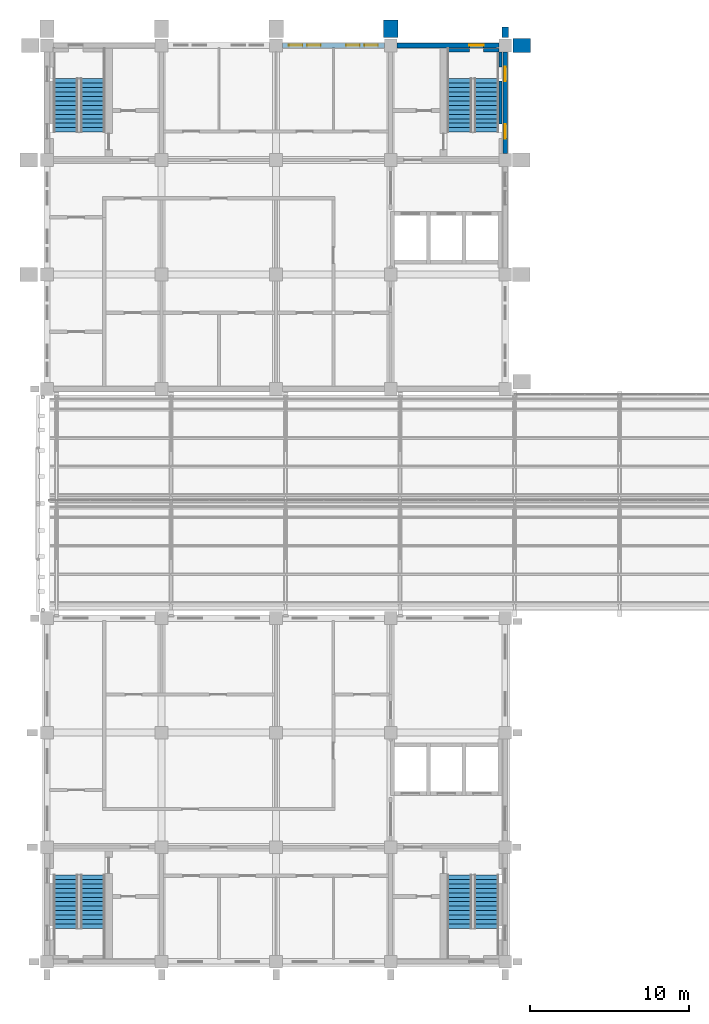
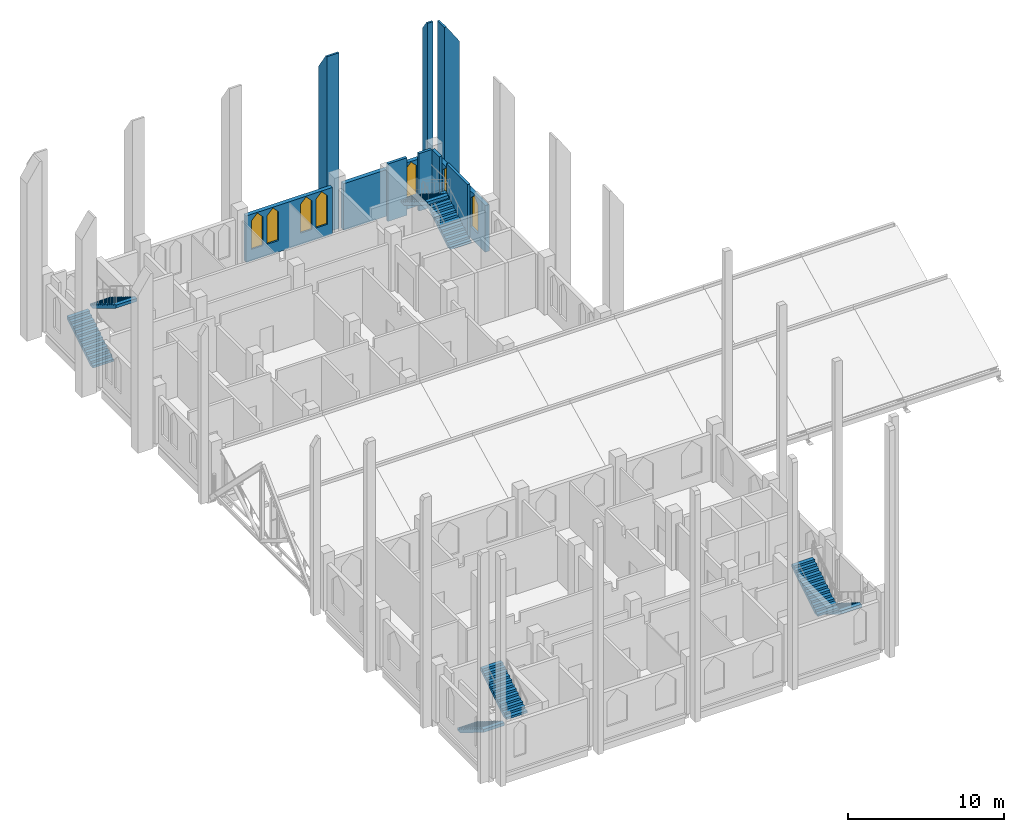
# One storey, part 24 of 29: 10 walls, 8 stair flights, 7 windows, 7 openings, 4 elements without a shape of their own.
"""IFC4 building model written with IfcOpenShell, lengths in metres."""

from ifc_helpers import new_model, si_unit, direction, frame, frame_2d, origin, place, context, subcontext, project, spatial, polyline, rectangle, outline, extrude, material, layer, layer_set, type_object, element, fill, aggregate, save


model = new_model("IFC4")

# Units and contexts
model_context = context("Model", 3, precision=1e-05, world=origin(), true_north=direction((0.0, 1.0)))
body_context = subcontext(model_context, "Body", "Model", "MODEL_VIEW")
ifc_project = project(units=[si_unit("LENGTHUNIT", "METRE"), si_unit("AREAUNIT", "SQUARE_METRE"), si_unit("VOLUMEUNIT", "CUBIC_METRE"), si_unit("PLANEANGLEUNIT", "RADIAN"), si_unit("MASSUNIT", "GRAM", prefix="KILO")], contexts=[model_context])

# Site, building, storey
site_placement = place(None, origin())
site = spatial("IfcSite", under=ifc_project, at=site_placement, CompositionType="ELEMENT")
building_placement = place(site_placement, origin())
building = spatial("IfcBuilding", under=site, at=building_placement, Name="Silangan Lancet Faculty of Sciences", CompositionType="ELEMENT")
storey_placement = place(building_placement, frame((0.0, 0.0, 40.800048828125)))
storey = spatial("IfcBuildingStorey", under=building, at=storey_placement, Name="L08", CompositionType="ELEMENT", Elevation=40.800048828125)

# Wall, openings, windows
ifc_material_1 = material(Name="Concrete C40/50 precast", Category="concrete")
ifc_layer_1 = layer(ifc_material_1, 0.300048828125)
ifc_layer_set_1 = layer_set([ifc_layer_1], Name="Concrete C40/50 precast")
wall_type_1 = type_object("IfcWallType", Name="EW1 Precast cladding wall", PredefinedType="STANDARD", material=ifc_layer_set_1)
wall_1_placement = place(storey_placement, frame((21.199951171875, 57.60009765625, 0.0), z_axis=(0.0, 0.0, 1.0), x_axis=(-1.0, 0.0, 0.0)))
wall_1 = element("IfcWall", 1, at=wall_1_placement, inside=storey, type_object=wall_type_1, Name="EW-L08-N-NT-01", PredefinedType="STANDARD", context=body_context, shape_type="SweptSolid", body=[
    extrude(rectangle(XDim=6.39990234375, YDim=0.300048828125, at=frame_2d((3.199951171875, 0.0))), origin(), (0.0, 0.0, 1.0), 3.64990234375),
])
opening_1_placement = place(wall_1_placement, frame((0.39990234375, 0.0, 0.89990234375)))
opening_1 = element("IfcOpeningElement", 2, at=opening_1_placement, cuts=wall_1, Name="Opening W21", PredefinedType="OPENING", context=body_context, shape_type="SweptSolid", body=[
    extrude(outline(polyline([(0.0, 0.0), (0.85009765625, 0.0), (0.85009765625, 2.25), (0.425048828125, 2.699951171875), (0.0, 2.25), (0.0, 0.0)])), frame((0.0, 0.159912109375, 0.0), z_axis=(0.0, -1.0, 0.0), x_axis=(1.0, 0.0, 0.0)), (0.0, 0.0, 1.0), 0.320068359375),
])
opening_2_placement = place(wall_1_placement, frame((1.550048828125, 0.0, 0.89990234375)))
opening_2 = element("IfcOpeningElement", 3, at=opening_2_placement, cuts=wall_1, Name="Opening W21", PredefinedType="OPENING", context=body_context, shape_type="SweptSolid", body=[
    extrude(outline(polyline([(0.0, 0.0), (0.85009765625, 0.0), (0.85009765625, 2.25), (0.425048828125, 2.699951171875), (0.0, 2.25), (0.0, 0.0)])), frame((0.0, 0.159912109375, 0.0), z_axis=(0.0, -1.0, 0.0), x_axis=(1.0, 0.0, 0.0)), (0.0, 0.0, 1.0), 0.320068359375),
])
opening_3_placement = place(wall_1_placement, frame((4.0, 0.0, 0.89990234375)))
opening_3 = element("IfcOpeningElement", 4, at=opening_3_placement, cuts=wall_1, Name="Opening W21", PredefinedType="OPENING", context=body_context, shape_type="SweptSolid", body=[
    extrude(outline(polyline([(0.0, 0.0), (0.85009765625, 0.0), (0.85009765625, 2.25), (0.425048828125, 2.699951171875), (0.0, 2.25), (0.0, 0.0)])), frame((0.0, 0.159912109375, 0.0), z_axis=(0.0, -1.0, 0.0), x_axis=(1.0, 0.0, 0.0)), (0.0, 0.0, 1.0), 0.320068359375),
])
opening_4_placement = place(wall_1_placement, frame((5.14990234375, 0.0, 0.89990234375)))
opening_4 = element("IfcOpeningElement", 5, at=opening_4_placement, cuts=wall_1, Name="Opening W21", PredefinedType="OPENING", context=body_context, shape_type="SweptSolid", body=[
    extrude(outline(polyline([(0.0, 0.0), (0.85009765625, 0.0), (0.85009765625, 2.25), (0.425048828125, 2.699951171875), (0.0, 2.25), (0.0, 0.0)])), frame((0.0, 0.159912109375, 0.0), z_axis=(0.0, -1.0, 0.0), x_axis=(1.0, 0.0, 0.0)), (0.0, 0.0, 1.0), 0.320068359375),
])
ifc_material_2 = material(Name="Aluminium frame, laminated double glazing", Category="aluminium")
window_type_1 = type_object("IfcWindowType", Name="W21 Lancet window 850 x 2700", PartitioningType="SINGLE_PANEL", PredefinedType="WINDOW", material=ifc_material_2)
window_1_placement = place(opening_1_placement, origin())
window_1 = element("IfcWindow", 6, at=window_1_placement, inside=storey, type_object=window_type_1, Name="WIN-L08-N-NT-01a1", OverallHeight=2.699951171875, OverallWidth=0.85009765625, PartitioningType="SINGLE_PANEL", PredefinedType="WINDOW", context=body_context, shape_type="SweptSolid", body=[
    extrude(outline(polyline([(0.0, 0.0), (0.85009765625, 0.0), (0.85009765625, 2.25), (0.425048828125, 2.699951171875), (0.0, 2.25), (0.0, 0.0)])), frame((0.0, 0.030029296875, 0.0), z_axis=(0.0, -1.0, 0.0), x_axis=(1.0, 0.0, 0.0)), (0.0, 0.0, 1.0), 0.06005859375),
])
fill(opening_1, window_1)
window_2_placement = place(opening_2_placement, origin())
window_2 = element("IfcWindow", 7, at=window_2_placement, inside=storey, type_object=window_type_1, Name="WIN-L08-N-NT-01a2", OverallHeight=2.699951171875, OverallWidth=0.85009765625, PartitioningType="SINGLE_PANEL", PredefinedType="WINDOW", context=body_context, shape_type="SweptSolid", body=[
    extrude(outline(polyline([(0.0, 0.0), (0.85009765625, 0.0), (0.85009765625, 2.25), (0.425048828125, 2.699951171875), (0.0, 2.25), (0.0, 0.0)])), frame((0.0, 0.030029296875, 0.0), z_axis=(0.0, -1.0, 0.0), x_axis=(1.0, 0.0, 0.0)), (0.0, 0.0, 1.0), 0.06005859375),
])
fill(opening_2, window_2)
window_3_placement = place(opening_3_placement, origin())
window_3 = element("IfcWindow", 8, at=window_3_placement, inside=storey, type_object=window_type_1, Name="WIN-L08-N-NT-01b1", OverallHeight=2.699951171875, OverallWidth=0.85009765625, PartitioningType="SINGLE_PANEL", PredefinedType="WINDOW", context=body_context, shape_type="SweptSolid", body=[
    extrude(outline(polyline([(0.0, 0.0), (0.85009765625, 0.0), (0.85009765625, 2.25), (0.425048828125, 2.699951171875), (0.0, 2.25), (0.0, 0.0)])), frame((0.0, 0.030029296875, 0.0), z_axis=(0.0, -1.0, 0.0), x_axis=(1.0, 0.0, 0.0)), (0.0, 0.0, 1.0), 0.06005859375),
])
fill(opening_3, window_3)
window_4_placement = place(opening_4_placement, origin())
window_4 = element("IfcWindow", 9, at=window_4_placement, inside=storey, type_object=window_type_1, Name="WIN-L08-N-NT-01b2", OverallHeight=2.699951171875, OverallWidth=0.85009765625, PartitioningType="SINGLE_PANEL", PredefinedType="WINDOW", context=body_context, shape_type="SweptSolid", body=[
    extrude(outline(polyline([(0.0, 0.0), (0.85009765625, 0.0), (0.85009765625, 2.25), (0.425048828125, 2.699951171875), (0.0, 2.25), (0.0, 0.0)])), frame((0.0, 0.030029296875, 0.0), z_axis=(0.0, -1.0, 0.0), x_axis=(1.0, 0.0, 0.0)), (0.0, 0.0, 1.0), 0.06005859375),
])
fill(opening_4, window_4)

# Wall, opening, window
ifc_material_3 = material(Name="Concrete C40/50 precast", Category="concrete")
ifc_layer_2 = layer(ifc_material_3, 0.300048828125)
ifc_layer_set_2 = layer_set([ifc_layer_2], Name="Concrete C40/50 precast")
wall_type_2 = type_object("IfcWallType", Name="EW2 Turret enclosure wall", PredefinedType="STANDARD", material=ifc_layer_set_2)
wall_2_placement = place(storey_placement, frame((28.39990234375, 57.60009765625, 0.0), z_axis=(0.0, 0.0, 1.0), x_axis=(-1.0, 0.0, 0.0)))
wall_2 = element("IfcWall", 10, at=wall_2_placement, inside=storey, type_object=wall_type_2, Name="EW-L08-N-NT-00", PredefinedType="STANDARD", context=body_context, shape_type="SweptSolid", body=[
    extrude(rectangle(XDim=6.39990234375, YDim=0.300048828125, at=frame_2d((3.199951171875, 0.0))), origin(), (0.0, 0.0, 1.0), 3.64990234375),
])
opening_5_placement = place(wall_2_placement, frame((0.949951171875, 0.0, 0.89990234375)))
opening_5 = element("IfcOpeningElement", 11, at=opening_5_placement, cuts=wall_2, Name="Opening W22", PredefinedType="OPENING", context=body_context, shape_type="SweptSolid", body=[
    extrude(outline(polyline([(0.0, 0.0), (0.89990234375, 0.0), (0.89990234375, 2.25), (0.449951171875, 2.699951171875), (0.0, 2.25), (0.0, 0.0)])), frame((0.0, 0.159912109375, 0.0), z_axis=(0.0, -1.0, 0.0), x_axis=(1.0, 0.0, 0.0)), (0.0, 0.0, 1.0), 0.320068359375),
])
ifc_material_4 = material(Name="Aluminium frame, laminated double glazing", Category="aluminium")
window_type_2 = type_object("IfcWindowType", Name="W22 Lancet window 900 x 2700", PartitioningType="SINGLE_PANEL", PredefinedType="WINDOW", material=ifc_material_4)
window_5_placement = place(opening_5_placement, origin())
window_5 = element("IfcWindow", 12, at=window_5_placement, inside=storey, type_object=window_type_2, Name="WIN-L08-N-NT-00a", OverallHeight=2.699951171875, OverallWidth=0.89990234375, PartitioningType="SINGLE_PANEL", PredefinedType="WINDOW", context=body_context, shape_type="SweptSolid", body=[
    extrude(outline(polyline([(0.0, 0.0), (0.89990234375, 0.0), (0.89990234375, 2.25), (0.449951171875, 2.699951171875), (0.0, 2.25), (0.0, 0.0)])), frame((0.0, 0.030029296875, 0.0), z_axis=(0.0, -1.0, 0.0), x_axis=(1.0, 0.0, 0.0)), (0.0, 0.0, 1.0), 0.06005859375),
])
fill(opening_5, window_5)

# Wall, openings, windows
wall_3_placement = place(storey_placement, frame((28.800048828125, 50.800048828125, 0.0), z_axis=(0.0, 0.0, 1.0), x_axis=(0.0, 1.0, 0.0)))
wall_3 = element("IfcWall", 13, at=wall_3_placement, inside=storey, type_object=wall_type_2, Name="EW-L08-E-NT-02", PredefinedType="STANDARD", context=body_context, shape_type="SweptSolid", body=[
    extrude(rectangle(XDim=6.39990234375, YDim=0.300048828125, at=frame_2d((3.199951171875, 0.0))), origin(), (0.0, 0.0, 1.0), 3.64990234375),
])
opening_6_placement = place(wall_3_placement, frame((0.949951171875, 0.0, 0.89990234375)))
opening_6 = element("IfcOpeningElement", 14, at=opening_6_placement, cuts=wall_3, Name="Opening W22", PredefinedType="OPENING", context=body_context, shape_type="SweptSolid", body=[
    extrude(outline(polyline([(0.0, 0.0), (0.89990234375, 0.0), (0.89990234375, 2.25), (0.449951171875, 2.699951171875), (0.0, 2.25), (0.0, 0.0)])), frame((0.0, 0.159912109375, 0.0), z_axis=(0.0, -1.0, 0.0), x_axis=(1.0, 0.0, 0.0)), (0.0, 0.0, 1.0), 0.320068359375),
])
opening_7_placement = place(wall_3_placement, frame((4.550048828125, 0.0, 0.89990234375)))
opening_7 = element("IfcOpeningElement", 15, at=opening_7_placement, cuts=wall_3, Name="Opening W22", PredefinedType="OPENING", context=body_context, shape_type="SweptSolid", body=[
    extrude(outline(polyline([(0.0, 0.0), (0.89990234375, 0.0), (0.89990234375, 2.25), (0.449951171875, 2.699951171875), (0.0, 2.25), (0.0, 0.0)])), frame((0.0, 0.159912109375, 0.0), z_axis=(0.0, -1.0, 0.0), x_axis=(1.0, 0.0, 0.0)), (0.0, 0.0, 1.0), 0.320068359375),
])
window_6_placement = place(opening_6_placement, origin())
window_6 = element("IfcWindow", 16, at=window_6_placement, inside=storey, type_object=window_type_2, Name="WIN-L08-E-NT-02a", OverallHeight=2.699951171875, OverallWidth=0.89990234375, PartitioningType="SINGLE_PANEL", PredefinedType="WINDOW", context=body_context, shape_type="SweptSolid", body=[
    extrude(outline(polyline([(0.0, 0.0), (0.89990234375, 0.0), (0.89990234375, 2.25), (0.449951171875, 2.699951171875), (0.0, 2.25), (0.0, 0.0)])), frame((0.0, 0.030029296875, 0.0), z_axis=(0.0, -1.0, 0.0), x_axis=(1.0, 0.0, 0.0)), (0.0, 0.0, 1.0), 0.06005859375),
])
fill(opening_6, window_6)
window_7_placement = place(opening_7_placement, origin())
window_7 = element("IfcWindow", 17, at=window_7_placement, inside=storey, type_object=window_type_2, Name="WIN-L08-E-NT-02b", OverallHeight=2.699951171875, OverallWidth=0.89990234375, PartitioningType="SINGLE_PANEL", PredefinedType="WINDOW", context=body_context, shape_type="SweptSolid", body=[
    extrude(outline(polyline([(0.0, 0.0), (0.89990234375, 0.0), (0.89990234375, 2.25), (0.449951171875, 2.699951171875), (0.0, 2.25), (0.0, 0.0)])), frame((0.0, 0.030029296875, 0.0), z_axis=(0.0, -1.0, 0.0), x_axis=(1.0, 0.0, 0.0)), (0.0, 0.0, 1.0), 0.06005859375),
])
fill(opening_7, window_7)

# Walls
ifc_material_5 = material(Name="Concrete C40/50 precast", Category="concrete")
ifc_layer_3 = layer(ifc_material_5, 0.89990234375)
ifc_layer_set_3 = layer_set([ifc_layer_3], Name="Concrete C40/50 precast")
wall_type_3 = type_object("IfcWallType", Name="FN30 Buttress Fin column line stage 3 13750", PredefinedType="POLYGONAL", material=ifc_layer_set_3)
for number, where, z_axis, x_axis, name in (
    (18, (21.60009765625, 58.10009765625, -0.25), (0.0, 0.0, 1.0), (0.0, 1.0, 0.0), "FINC-N-NT-04-S3"),
    (19, (29.300048828125, 57.60009765625, -0.25), (0.0, 0.0, 1.0), (1.0, 0.0, 0.0), "FINC-E-NT-04-S3"),
):
    element("IfcWall", number, at=place(storey_placement, frame(where, z_axis=z_axis, x_axis=x_axis)), inside=storey, type_object=wall_type_3, Name=name, PredefinedType="POLYGONAL", context=body_context, shape_type="SweptSolid", body=[
        extrude(outline(polyline([(1.10009765625, 0.0), (1.10009765625, 12.324951171875), (0.14990234375, 13.75), (0.0, 13.75), (0.0, 0.0), (1.10009765625, 0.0)])), frame((0.0, 0.449951171875, 0.0), z_axis=(0.0, -1.0, 0.0), x_axis=(1.0, 0.0, 0.0)), (0.0, 0.0, 1.0), 0.89990234375),
    ])
ifc_material_6 = material(Name="Concrete C40/50 precast", Category="concrete")
ifc_layer_4 = layer(ifc_material_6, 0.39990234375)
ifc_layer_set_4 = layer_set([ifc_layer_4], Name="Concrete C40/50 precast")
wall_type_4 = type_object("IfcWallType", Name="FN49 Buttress Fin column line stage 3 13750", PredefinedType="POLYGONAL", material=ifc_layer_set_4)
wall_4_placement = place(storey_placement, frame((28.800048828125, 58.10009765625, -0.25), z_axis=(0.0, 0.0, 1.0), x_axis=(0.0, 1.0, 0.0)))
element("IfcWall", 20, at=wall_4_placement, inside=storey, type_object=wall_type_4, Name="FINC-N-NAB-01-S3", PredefinedType="POLYGONAL", context=body_context, shape_type="SweptSolid", body=[
    extrude(outline(polyline([(0.64990234375, 0.0), (0.64990234375, 13.0), (0.14990234375, 13.75), (0.0, 13.75), (0.0, 0.0), (0.64990234375, 0.0)])), frame((0.0, 0.199951171875, 0.0), z_axis=(0.0, -1.0, 0.0), x_axis=(1.0, 0.0, 0.0)), (0.0, 0.0, 1.0), 0.39990234375),
])
ifc_material_7 = material(Name="Concrete C40/50", Category="concrete")
ifc_layer_5 = layer(ifc_material_7, 0.199951171875)
ifc_layer_set_5 = layer_set([ifc_layer_5], Name="Concrete C40/50")
wall_type_5 = type_object("IfcWallType", Name="TURRET LINING WALL RC 200", PredefinedType="SHEAR", material=ifc_layer_set_5)
wall_5_placement = place(storey_placement, frame((28.5, 52.64990234375, -0.25), z_axis=(0.0, 0.0, 1.0), x_axis=(0.0, 1.0, 0.0)))
element("IfcWall", 21, at=wall_5_placement, inside=storey, type_object=wall_type_5, Name="WALL-L08-NT-B-WL-2", PredefinedType="SHEAR", context=body_context, shape_type="SweptSolid", body=[
    extrude(rectangle(XDim=2.7001953125, YDim=0.199951171875, at=frame_2d((1.35009765625, 0.0))), origin(), (0.0, 0.0, 1.0), 4.5),
])
wall_6_placement = place(storey_placement, frame((28.5, 56.25, -0.25), z_axis=(0.0, 0.0, 1.0), x_axis=(0.0, 1.0, 0.0)))
element("IfcWall", 22, at=wall_6_placement, inside=storey, type_object=wall_type_5, Name="WALL-L08-NT-B-WL-3", PredefinedType="SHEAR", context=body_context, shape_type="SweptSolid", body=[
    extrude(rectangle(XDim=0.949951171875, YDim=0.199951171875, at=frame_2d((0.47509765625, 0.0))), origin(), (0.0, 0.0, 1.0), 4.5),
])
wall_7_placement = place(storey_placement, frame((25.14990234375, 57.300048828125, -0.25), z_axis=(0.0, 0.0, 1.0), x_axis=(1.0, 0.0, 0.0)))
element("IfcWall", 23, at=wall_7_placement, inside=storey, type_object=wall_type_5, Name="WALL-L08-NT-B-WLD", PredefinedType="SHEAR", context=body_context, shape_type="SweptSolid", body=[
    extrude(rectangle(XDim=1.400146484375, YDim=0.199951171875, at=frame_2d((0.7001953125, 0.0))), origin(), (0.0, 0.0, 1.0), 4.5),
])
wall_8_placement = place(storey_placement, frame((27.449951171875, 57.300048828125, -0.25), z_axis=(0.0, 0.0, 1.0), x_axis=(1.0, 0.0, 0.0)))
element("IfcWall", 24, at=wall_8_placement, inside=storey, type_object=wall_type_5, Name="WALL-L08-NT-B-WLD-2", PredefinedType="SHEAR", context=body_context, shape_type="SweptSolid", body=[
    extrude(rectangle(XDim=0.949951171875, YDim=0.199951171875, at=frame_2d((0.47509765625, 0.0))), origin(), (0.0, 0.0, 1.0), 4.5),
])

# Stair, stair flights
ifc_material_8 = material(Name="Concrete C40/50", Category="concrete")
stair_type = type_object("IfcStairType", Name="TURRET STAIR 1550 TWO-FLIGHT", PredefinedType="HALF_TURN_STAIR", material=ifc_material_8)
stair_1_placement = place(storey_placement, origin())
stair_1 = element("IfcStair", 25, at=stair_1_placement, inside=storey, type_object=stair_type, Name="NT-A stair L08", PredefinedType="HALF_TURN_STAIR")
ifc_material_9 = material(Name="Concrete C40/50", Category="concrete")
stair_flight_type = type_object("IfcStairFlightType", Name="TURRET STAIR FLIGHT 1550", PredefinedType="STRAIGHT", material=ifc_material_9)
stair_flight_1_placement = place(storey_placement, frame((1.175048828125, 52.14990234375, 0.0), z_axis=(0.0, 0.0, 1.0), x_axis=(0.0, 1.0, 0.0)))
stair_flight_1 = element("IfcStairFlight", 26, at=stair_flight_1_placement, type_object=stair_flight_type, Name="STR3 flight 1", NumberOfRisers=13, NumberOfTreads=12, PredefinedType="STRAIGHT", RiserHeight=0.173076923, TreadLength=0.28, context=body_context, shape_type="SweptSolid", body=[
    extrude(outline(polyline([(0.0, 0.0), (0.0, 0.173095703125), (0.280029296875, 0.173095703125), (0.280029296875, 0.34619140625), (0.56005859375, 0.34619140625), (0.56005859375, 0.519287109375), (0.840087890625, 0.519287109375), (0.840087890625, 0.6923828125), (1.1201171875, 0.6923828125), (1.1201171875, 0.865478515625), (1.39990234375, 0.865478515625), (1.39990234375, 1.03857421875), (1.679931640625, 1.03857421875), (1.679931640625, 1.21142578125), (1.9599609375, 1.21142578125), (1.9599609375, 1.384521484375), (2.239990234375, 1.384521484375), (2.239990234375, 1.5576171875), (2.52001953125, 1.5576171875), (2.52001953125, 1.730712890625), (2.800048828125, 1.730712890625), (2.800048828125, 1.90380859375), (3.080078125, 1.90380859375), (3.080078125, 2.076904296875), (3.360107421875, 2.076904296875), (3.360107421875, 2.25), (3.360107421875, 1.841796875), (0.38037109375, 0.0), (0.0, 0.0)])), frame((0.0, 0.77490234375, 0.0), z_axis=(0.0, -1.0, 0.0), x_axis=(1.0, 0.0, 0.0)), (0.0, 0.0, 1.0), 1.550048828125),
])
stair_flight_2_placement = place(storey_placement, frame((2.875, 55.510009765625, 2.25), z_axis=(0.0, 0.0, 1.0), x_axis=(0.0, -1.0, 0.0)))
stair_flight_2 = element("IfcStairFlight", 27, at=stair_flight_2_placement, type_object=stair_flight_type, Name="STR3 flight 2", NumberOfRisers=13, NumberOfTreads=12, PredefinedType="STRAIGHT", RiserHeight=0.173076923, TreadLength=0.28, context=body_context, shape_type="SweptSolid", body=[
    extrude(outline(polyline([(0.0, 0.0), (0.0, 0.173095703125), (0.280029296875, 0.173095703125), (0.280029296875, 0.34619140625), (0.56005859375, 0.34619140625), (0.56005859375, 0.519287109375), (0.840087890625, 0.519287109375), (0.840087890625, 0.6923828125), (1.1201171875, 0.6923828125), (1.1201171875, 0.865478515625), (1.39990234375, 0.865478515625), (1.39990234375, 1.03857421875), (1.679931640625, 1.03857421875), (1.679931640625, 1.21142578125), (1.9599609375, 1.21142578125), (1.9599609375, 1.384521484375), (2.239990234375, 1.384521484375), (2.239990234375, 1.5576171875), (2.52001953125, 1.5576171875), (2.52001953125, 1.730712890625), (2.800048828125, 1.730712890625), (2.800048828125, 1.90380859375), (3.080078125, 1.90380859375), (3.080078125, 2.076904296875), (3.360107421875, 2.076904296875), (3.360107421875, 2.25), (3.360107421875, 1.841796875), (0.38037109375, 0.0), (0.0, 0.0)])), frame((0.0, 0.77490234375, 0.0), z_axis=(0.0, -1.0, 0.0), x_axis=(1.0, 0.0, 0.0)), (0.0, 0.0, 1.0), 1.550048828125),
])
aggregate(stair_1, [stair_flight_1, stair_flight_2])

stair_2_placement = place(storey_placement, origin())
stair_2 = element("IfcStair", 28, at=stair_2_placement, inside=storey, type_object=stair_type, Name="NT-B stair L08", PredefinedType="HALF_TURN_STAIR")
stair_flight_3_placement = place(storey_placement, frame((27.625, 52.14990234375, 0.0), z_axis=(0.0, 0.0, 1.0), x_axis=(0.0, 1.0, 0.0)))
stair_flight_3 = element("IfcStairFlight", 29, at=stair_flight_3_placement, type_object=stair_flight_type, Name="STR4 flight 1", NumberOfRisers=13, NumberOfTreads=12, PredefinedType="STRAIGHT", RiserHeight=0.173076923, TreadLength=0.28, context=body_context, shape_type="SweptSolid", body=[
    extrude(outline(polyline([(0.0, 0.0), (0.0, 0.173095703125), (0.280029296875, 0.173095703125), (0.280029296875, 0.34619140625), (0.56005859375, 0.34619140625), (0.56005859375, 0.519287109375), (0.840087890625, 0.519287109375), (0.840087890625, 0.6923828125), (1.1201171875, 0.6923828125), (1.1201171875, 0.865478515625), (1.39990234375, 0.865478515625), (1.39990234375, 1.03857421875), (1.679931640625, 1.03857421875), (1.679931640625, 1.21142578125), (1.9599609375, 1.21142578125), (1.9599609375, 1.384521484375), (2.239990234375, 1.384521484375), (2.239990234375, 1.5576171875), (2.52001953125, 1.5576171875), (2.52001953125, 1.730712890625), (2.800048828125, 1.730712890625), (2.800048828125, 1.90380859375), (3.080078125, 1.90380859375), (3.080078125, 2.076904296875), (3.360107421875, 2.076904296875), (3.360107421875, 2.25), (3.360107421875, 1.841796875), (0.38037109375, 0.0), (0.0, 0.0)])), frame((0.0, 0.77490234375, 0.0), z_axis=(0.0, -1.0, 0.0), x_axis=(1.0, 0.0, 0.0)), (0.0, 0.0, 1.0), 1.550048828125),
])
stair_flight_4_placement = place(storey_placement, frame((25.925048828125, 55.510009765625, 2.25), z_axis=(0.0, 0.0, 1.0), x_axis=(0.0, -1.0, 0.0)))
stair_flight_4 = element("IfcStairFlight", 30, at=stair_flight_4_placement, type_object=stair_flight_type, Name="STR4 flight 2", NumberOfRisers=13, NumberOfTreads=12, PredefinedType="STRAIGHT", RiserHeight=0.173076923, TreadLength=0.28, context=body_context, shape_type="SweptSolid", body=[
    extrude(outline(polyline([(0.0, 0.0), (0.0, 0.173095703125), (0.280029296875, 0.173095703125), (0.280029296875, 0.34619140625), (0.56005859375, 0.34619140625), (0.56005859375, 0.519287109375), (0.840087890625, 0.519287109375), (0.840087890625, 0.6923828125), (1.1201171875, 0.6923828125), (1.1201171875, 0.865478515625), (1.39990234375, 0.865478515625), (1.39990234375, 1.03857421875), (1.679931640625, 1.03857421875), (1.679931640625, 1.21142578125), (1.9599609375, 1.21142578125), (1.9599609375, 1.384521484375), (2.239990234375, 1.384521484375), (2.239990234375, 1.5576171875), (2.52001953125, 1.5576171875), (2.52001953125, 1.730712890625), (2.800048828125, 1.730712890625), (2.800048828125, 1.90380859375), (3.080078125, 1.90380859375), (3.080078125, 2.076904296875), (3.360107421875, 2.076904296875), (3.360107421875, 2.25), (3.360107421875, 1.841796875), (0.38037109375, 0.0), (0.0, 0.0)])), frame((0.0, 0.77490234375, 0.0), z_axis=(0.0, -1.0, 0.0), x_axis=(1.0, 0.0, 0.0)), (0.0, 0.0, 1.0), 1.550048828125),
])
aggregate(stair_2, [stair_flight_3, stair_flight_4])

stair_3_placement = place(storey_placement, origin())
stair_3 = element("IfcStair", 31, at=stair_3_placement, inside=storey, type_object=stair_type, Name="ST-A stair L08", PredefinedType="HALF_TURN_STAIR")
stair_flight_5_placement = place(storey_placement, frame((1.175048828125, 5.449951171875, 0.0), z_axis=(0.0, 0.0, 1.0), x_axis=(0.0, -1.0, 0.0)))
stair_flight_5 = element("IfcStairFlight", 32, at=stair_flight_5_placement, type_object=stair_flight_type, Name="STR1 flight 1", NumberOfRisers=13, NumberOfTreads=12, PredefinedType="STRAIGHT", RiserHeight=0.173076923, TreadLength=0.28, context=body_context, shape_type="SweptSolid", body=[
    extrude(outline(polyline([(0.0, 0.0), (0.0, 0.173095703125), (0.280029296875, 0.173095703125), (0.280029296875, 0.34619140625), (0.56005859375, 0.34619140625), (0.56005859375, 0.519287109375), (0.840087890625, 0.519287109375), (0.840087890625, 0.6923828125), (1.1201171875, 0.6923828125), (1.1201171875, 0.865478515625), (1.39990234375, 0.865478515625), (1.39990234375, 1.03857421875), (1.679931640625, 1.03857421875), (1.679931640625, 1.21142578125), (1.9599609375, 1.21142578125), (1.9599609375, 1.384521484375), (2.239990234375, 1.384521484375), (2.239990234375, 1.5576171875), (2.52001953125, 1.5576171875), (2.52001953125, 1.730712890625), (2.800048828125, 1.730712890625), (2.800048828125, 1.90380859375), (3.080078125, 1.90380859375), (3.080078125, 2.076904296875), (3.360107421875, 2.076904296875), (3.360107421875, 2.25), (3.360107421875, 1.841796875), (0.38037109375, 0.0), (0.0, 0.0)])), frame((0.0, 0.77490234375, 0.0), z_axis=(0.0, -1.0, 0.0), x_axis=(1.0, 0.0, 0.0)), (0.0, 0.0, 1.0), 1.550048828125),
])
stair_flight_6_placement = place(storey_placement, frame((2.875, 2.090087890625, 2.25), z_axis=(0.0, 0.0, 1.0), x_axis=(0.0, 1.0, 0.0)))
stair_flight_6 = element("IfcStairFlight", 33, at=stair_flight_6_placement, type_object=stair_flight_type, Name="STR1 flight 2", NumberOfRisers=13, NumberOfTreads=12, PredefinedType="STRAIGHT", RiserHeight=0.173076923, TreadLength=0.28, context=body_context, shape_type="SweptSolid", body=[
    extrude(outline(polyline([(0.0, 0.0), (0.0, 0.173095703125), (0.280029296875, 0.173095703125), (0.280029296875, 0.34619140625), (0.56005859375, 0.34619140625), (0.56005859375, 0.519287109375), (0.840087890625, 0.519287109375), (0.840087890625, 0.6923828125), (1.1201171875, 0.6923828125), (1.1201171875, 0.865478515625), (1.39990234375, 0.865478515625), (1.39990234375, 1.03857421875), (1.679931640625, 1.03857421875), (1.679931640625, 1.21142578125), (1.9599609375, 1.21142578125), (1.9599609375, 1.384521484375), (2.239990234375, 1.384521484375), (2.239990234375, 1.5576171875), (2.52001953125, 1.5576171875), (2.52001953125, 1.730712890625), (2.800048828125, 1.730712890625), (2.800048828125, 1.90380859375), (3.080078125, 1.90380859375), (3.080078125, 2.076904296875), (3.360107421875, 2.076904296875), (3.360107421875, 2.25), (3.360107421875, 1.841796875), (0.38037109375, 0.0), (0.0, 0.0)])), frame((0.0, 0.77490234375, 0.0), z_axis=(0.0, -1.0, 0.0), x_axis=(1.0, 0.0, 0.0)), (0.0, 0.0, 1.0), 1.550048828125),
])
aggregate(stair_3, [stair_flight_5, stair_flight_6])

stair_4_placement = place(storey_placement, origin())
stair_4 = element("IfcStair", 34, at=stair_4_placement, inside=storey, type_object=stair_type, Name="ST-B stair L08", PredefinedType="HALF_TURN_STAIR")
stair_flight_7_placement = place(storey_placement, frame((27.625, 5.449951171875, 0.0), z_axis=(0.0, 0.0, 1.0), x_axis=(0.0, -1.0, 0.0)))
stair_flight_7 = element("IfcStairFlight", 35, at=stair_flight_7_placement, type_object=stair_flight_type, Name="STR2 flight 1", NumberOfRisers=13, NumberOfTreads=12, PredefinedType="STRAIGHT", RiserHeight=0.173076923, TreadLength=0.28, context=body_context, shape_type="SweptSolid", body=[
    extrude(outline(polyline([(0.0, 0.0), (0.0, 0.173095703125), (0.280029296875, 0.173095703125), (0.280029296875, 0.34619140625), (0.56005859375, 0.34619140625), (0.56005859375, 0.519287109375), (0.840087890625, 0.519287109375), (0.840087890625, 0.6923828125), (1.1201171875, 0.6923828125), (1.1201171875, 0.865478515625), (1.39990234375, 0.865478515625), (1.39990234375, 1.03857421875), (1.679931640625, 1.03857421875), (1.679931640625, 1.21142578125), (1.9599609375, 1.21142578125), (1.9599609375, 1.384521484375), (2.239990234375, 1.384521484375), (2.239990234375, 1.5576171875), (2.52001953125, 1.5576171875), (2.52001953125, 1.730712890625), (2.800048828125, 1.730712890625), (2.800048828125, 1.90380859375), (3.080078125, 1.90380859375), (3.080078125, 2.076904296875), (3.360107421875, 2.076904296875), (3.360107421875, 2.25), (3.360107421875, 1.841796875), (0.38037109375, 0.0), (0.0, 0.0)])), frame((0.0, 0.77490234375, 0.0), z_axis=(0.0, -1.0, 0.0), x_axis=(1.0, 0.0, 0.0)), (0.0, 0.0, 1.0), 1.550048828125),
])
stair_flight_8_placement = place(storey_placement, frame((25.925048828125, 2.090087890625, 2.25), z_axis=(0.0, 0.0, 1.0), x_axis=(0.0, 1.0, 0.0)))
stair_flight_8 = element("IfcStairFlight", 36, at=stair_flight_8_placement, type_object=stair_flight_type, Name="STR2 flight 2", NumberOfRisers=13, NumberOfTreads=12, PredefinedType="STRAIGHT", RiserHeight=0.173076923, TreadLength=0.28, context=body_context, shape_type="SweptSolid", body=[
    extrude(outline(polyline([(0.0, 0.0), (0.0, 0.173095703125), (0.280029296875, 0.173095703125), (0.280029296875, 0.34619140625), (0.56005859375, 0.34619140625), (0.56005859375, 0.519287109375), (0.840087890625, 0.519287109375), (0.840087890625, 0.6923828125), (1.1201171875, 0.6923828125), (1.1201171875, 0.865478515625), (1.39990234375, 0.865478515625), (1.39990234375, 1.03857421875), (1.679931640625, 1.03857421875), (1.679931640625, 1.21142578125), (1.9599609375, 1.21142578125), (1.9599609375, 1.384521484375), (2.239990234375, 1.384521484375), (2.239990234375, 1.5576171875), (2.52001953125, 1.5576171875), (2.52001953125, 1.730712890625), (2.800048828125, 1.730712890625), (2.800048828125, 1.90380859375), (3.080078125, 1.90380859375), (3.080078125, 2.076904296875), (3.360107421875, 2.076904296875), (3.360107421875, 2.25), (3.360107421875, 1.841796875), (0.38037109375, 0.0), (0.0, 0.0)])), frame((0.0, 0.77490234375, 0.0), z_axis=(0.0, -1.0, 0.0), x_axis=(1.0, 0.0, 0.0)), (0.0, 0.0, 1.0), 1.550048828125),
])
aggregate(stair_4, [stair_flight_7, stair_flight_8])

save(model, "model.ifc")
